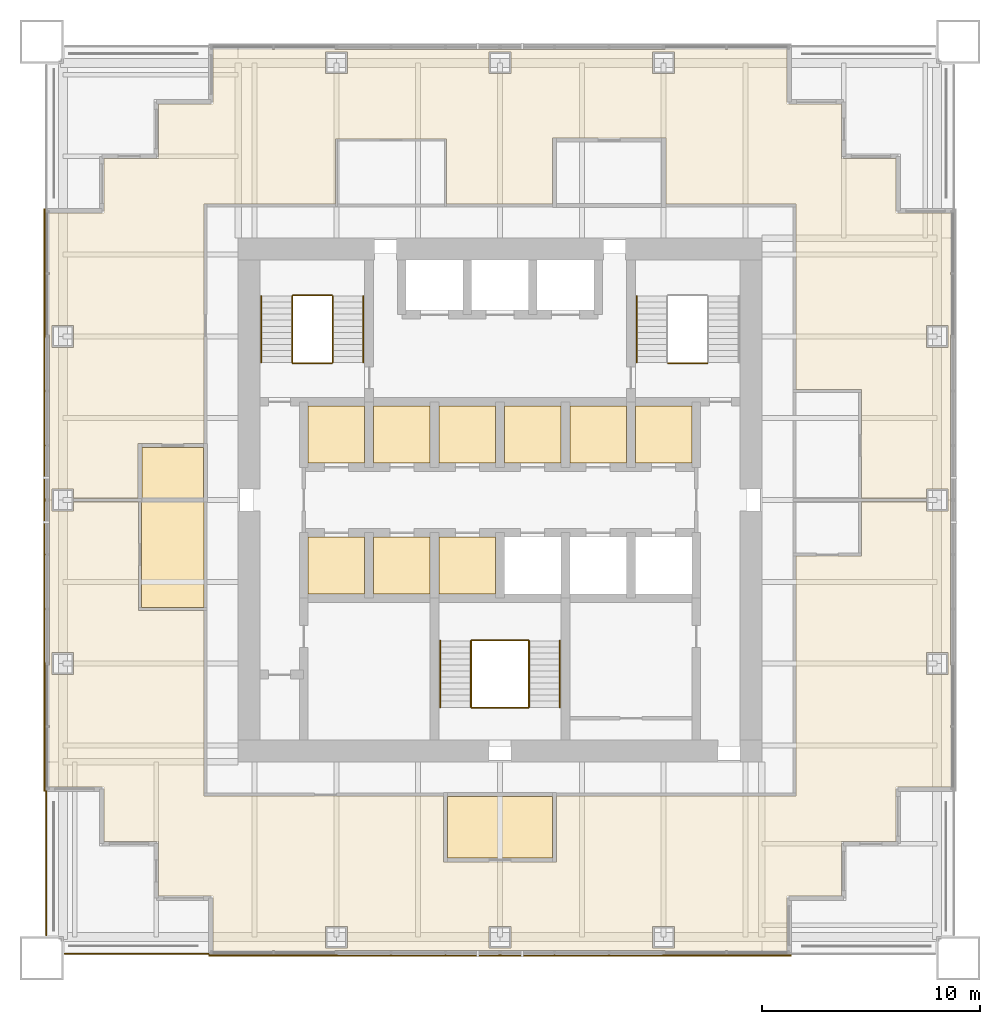
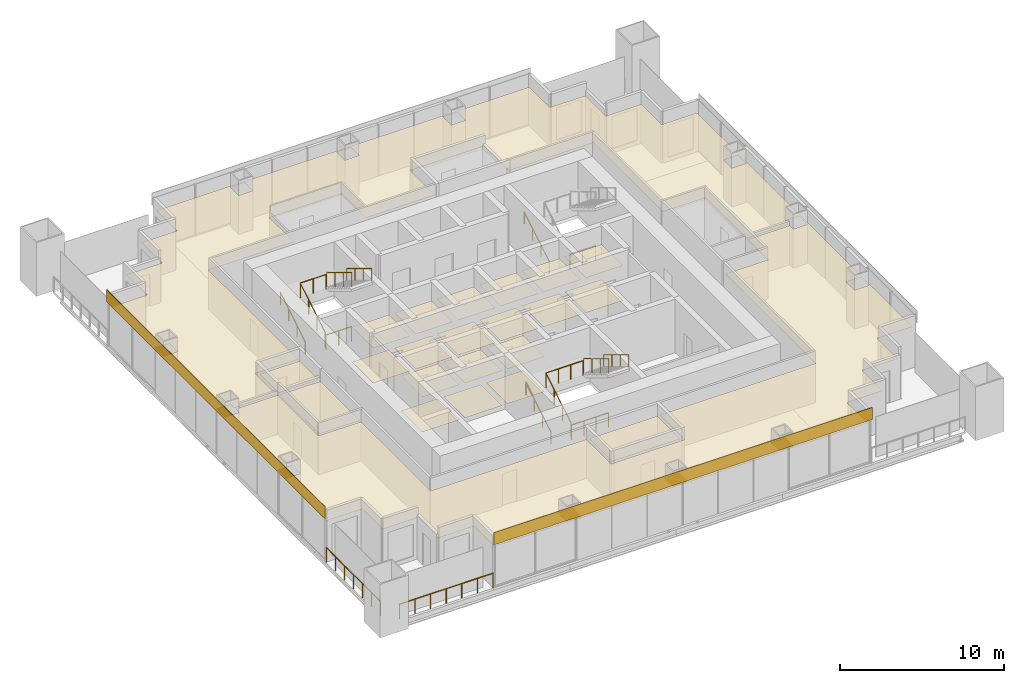
# One storey, part 13 of 14: 25 coverings, 16 railings.
"""IFC4 building model written with IfcOpenShell, lengths in metres."""

import ifcopenshell
import ifcopenshell.guid

model = None  # the IFC model being written
_history = None  # IfcOwnerHistory: only IFC2X3 demands one
_inside = {}  # id of a spatial element -> (the spatial element, [elements in it])
_under = {}  # id of a project, library or spatial element -> (it, [spatial elements below it])
_declared = {}  # id of a project -> (the project, [libraries it declares])
_typed = {}  # id of a type object -> (the type object, [elements of that type])
_made_of = {}  # id of a material, layer set ... -> (it, [elements and type objects made of it])


def new_model(schema):
    """Start an empty IFC model of exactly this schema.

    Asked for "IFC4X3", IfcOpenShell would pick the latest addendum, in which some entities
    have other attributes; the version numbers below select the first issue.
    IFC2X3 requires an IfcOwnerHistory on every rooted entity: one is made here for all.
    """
    global model, _history
    if schema == "IFC4X3":
        model = ifcopenshell.file(schema_version=(4, 3, 0, 0))
    else:
        model = ifcopenshell.file(schema=schema)
    _inside.clear()
    _under.clear()
    _declared.clear()
    _typed.clear()
    _made_of.clear()
    _history = None
    if model.schema == "IFC2X3":
        org = make("IfcOrganization", Name="unknown")
        user = make(
            "IfcPersonAndOrganization",
            ThePerson=make("IfcPerson", FamilyName="unknown"),
            TheOrganization=org,
        )
        app = make(
            "IfcApplication",
            ApplicationDeveloper=org,
            Version="unknown",
            ApplicationFullName="unknown",
            ApplicationIdentifier="unknown",
        )
        _history = make(
            "IfcOwnerHistory",
            OwningUser=user,
            OwningApplication=app,
            ChangeAction="ADDED",
            CreationDate=0,
        )
    return model


def make(cls, **values):
    """One entity of the class cls with the attributes given. An attribute that is None is left unset."""
    return model.create_entity(
        cls, **{name: value for name, value in values.items() if value is not None}
    )


def rooted(cls, **values):
    """An entity with a GlobalId (a new one), such as an element, a storey or a relation."""
    return make(cls, GlobalId=ifcopenshell.guid.new(), OwnerHistory=_history, **values)


def si_unit(unit_type, name, prefix=None):
    """IfcSIUnit, for example si_unit("LENGTHUNIT", "METRE", prefix="MILLI")."""
    return make("IfcSIUnit", UnitType=unit_type, Prefix=prefix, Name=name)


def assignment(units):
    """IfcUnitAssignment: the units of a project."""
    return None if units is None else make("IfcUnitAssignment", Units=units)


def point(xyz):
    """IfcCartesianPoint."""
    return None if xyz is None else make("IfcCartesianPoint", Coordinates=xyz)


def direction(xyz):
    """IfcDirection."""
    return None if xyz is None else make("IfcDirection", DirectionRatios=xyz)


def frame(location, z_axis=None, x_axis=None):
    """IfcAxis2Placement3D, a coordinate frame: its origin and axes. An axis left out is left unset."""
    return make(
        "IfcAxis2Placement3D",
        Location=point(location),
        Axis=direction(z_axis),
        RefDirection=direction(x_axis),
    )


def frame_2d(location, x_axis=None):
    """IfcAxis2Placement2D, a coordinate frame in the plane: its origin and x axis."""
    return make(
        "IfcAxis2Placement2D", Location=point(location), RefDirection=direction(x_axis)
    )


def origin():
    """The frame at (0, 0, 0) with its axes left unset."""
    return frame((0.0, 0.0, 0.0))


def origin_2d():
    """The frame at (0, 0) in the plane with its x axis left unset."""
    return frame_2d((0.0, 0.0))


def place(relative_to, where):
    """IfcLocalPlacement: puts the frame where relative to a parent placement (None: the world)."""
    return make(
        "IfcLocalPlacement", PlacementRelTo=relative_to, RelativePlacement=where
    )


def context(
    kind, dimensions, precision=None, world=None, true_north=None, identifier=None
):
    """IfcGeometricRepresentationContext, for example the 3D "Model" context."""
    return make(
        "IfcGeometricRepresentationContext",
        ContextIdentifier=identifier,
        ContextType=kind,
        CoordinateSpaceDimension=dimensions,
        Precision=precision,
        WorldCoordinateSystem=world,
        TrueNorth=true_north,
    )


def subcontext(parent, identifier, kind, view, scale=None):
    """IfcGeometricRepresentationSubContext, for example "Body" below "Model"."""
    return make(
        "IfcGeometricRepresentationSubContext",
        ContextIdentifier=identifier,
        ContextType=kind,
        ParentContext=parent,
        TargetScale=scale,
        TargetView=view,
    )


def project(units=None, contexts=None):
    """IfcProject with its units and contexts."""
    return rooted(
        "IfcProject",
        Name="project",
        RepresentationContexts=contexts,
        UnitsInContext=assignment(units),
    )


def spatial(cls, under=None, at=None, **own):
    """A site, building, storey or space (cls), placed at a placement, below another one or the project."""
    s = rooted(cls, ObjectPlacement=at, **own)
    if under is not None:
        _under.setdefault(under.id(), (under, []))[1].append(s)
    return s


def polyline(points):
    """IfcPolyline through the points."""
    return make("IfcPolyline", Points=[point(p) for p in points])


def profile(cls, at=None, kind="AREA", **sizes):
    """A parametric profile (cls). Its sizes go by their IFC names, for example OverallWidth=200.0."""
    return make(cls, ProfileType=kind, Position=at, **sizes)


def rectangle(**sizes):
    """IfcRectangleProfileDef."""
    return profile("IfcRectangleProfileDef", **sizes)


def circle(**sizes):
    """IfcCircleProfileDef."""
    return profile("IfcCircleProfileDef", **sizes)


def outline(outer, holes=None, kind="AREA"):
    """IfcArbitraryClosedProfileDef: a profile drawn as a closed curve; with holes, ...WithVoids."""
    if holes is None:
        return make("IfcArbitraryClosedProfileDef", ProfileType=kind, OuterCurve=outer)
    return make(
        "IfcArbitraryProfileDefWithVoids",
        ProfileType=kind,
        OuterCurve=outer,
        InnerCurves=holes,
    )


def extrude(swept, where, along, depth):
    """IfcExtrudedAreaSolid: the profile swept, set in the frame where, extruded along a direction by depth."""
    return make(
        "IfcExtrudedAreaSolid",
        SweptArea=swept,
        Position=where,
        ExtrudedDirection=direction(along),
        Depth=depth,
    )


def shape(context_of_items, identifier, shape_type, items):
    """IfcShapeRepresentation: the items that make up one representation, for example the "Body"."""
    return make(
        "IfcShapeRepresentation",
        ContextOfItems=context_of_items,
        RepresentationIdentifier=identifier,
        RepresentationType=shape_type,
        Items=items,
    )


def material(Name=None, Category=None):
    """IfcMaterial."""
    return make("IfcMaterial", Name=Name, Category=Category)


def layer(
    of_material, thickness, ventilated=None, Name=None, Category=None, Priority=None
):
    """IfcMaterialLayer: one layer of a wall or slab, of a material (None: an air gap)."""
    return make(
        "IfcMaterialLayer",
        Material=of_material,
        LayerThickness=thickness,
        IsVentilated=ventilated,
        Name=Name,
        Category=Category,
        Priority=Priority,
    )


def layer_set(layers, Name=None):
    """IfcMaterialLayerSet."""
    return make("IfcMaterialLayerSet", MaterialLayers=layers, LayerSetName=Name)


def made_of(thing, what):
    """Note that an element or type object is made of a material, layer set ...; save() writes the relation."""
    if what is not None:
        _made_of.setdefault(what.id(), (what, []))[1].append(thing)
    return thing


def type_object(cls, material=None, **own):
    """A type object (cls), such as IfcWallType, which elements share."""
    return made_of(rooted(cls, **own), material)


def element(
    cls,
    number,
    at=None,
    inside=None,
    cuts=None,
    type_object=None,
    material=None,
    context=None,
    identifier="Body",
    shape_type=None,
    held_by="IfcProductDefinitionShape",
    body=None,
    shapes=None,
    **own,
):
    """One element of the class cls, such as IfcWall. Its Tag is "e" and its number.

    at: its placement. inside: the storey or other place that contains it. cuts: it is an
    opening in that element (IfcRelVoidsElement). A single representation is given by context,
    identifier, shape_type and body (its items); several are given by shapes. held_by: the class
    of the entity that holds the representations. save() writes the other relations.
    """
    e = rooted(cls, Tag="e%d" % number, ObjectPlacement=at, **own)
    if body is not None:
        shapes = [shape(context, identifier, shape_type, body)]
    if shapes is not None:
        e.Representation = make(held_by, Representations=shapes)
    if inside is not None:
        _inside.setdefault(inside.id(), (inside, []))[1].append(e)
    if cuts is not None:
        rooted(
            "IfcRelVoidsElement", RelatingBuildingElement=cuts, RelatedOpeningElement=e
        )
    if type_object is not None:
        _typed.setdefault(type_object.id(), (type_object, []))[1].append(e)
    return made_of(e, material)


def aggregate(whole, parts):
    """IfcRelAggregates: a whole, such as a stair, and the parts it consists of."""
    return rooted("IfcRelAggregates", RelatingObject=whole, RelatedObjects=parts)


def save(model, path):
    """Write the relations noted so far, then the file.

    IfcRelAggregates (storeys below a building ...), IfcRelContainedInSpatialStructure (elements
    in a storey), IfcRelDefinesByType, IfcRelAssociatesMaterial and IfcRelDeclares: one each for
    every whole, place, type object, material and project.
    """
    for whole, parts in _under.values():
        aggregate(whole, parts)
    for where, things in _inside.values():
        rooted(
            "IfcRelContainedInSpatialStructure",
            RelatedElements=things,
            RelatingStructure=where,
        )
    for kind, things in _typed.values():
        rooted("IfcRelDefinesByType", RelatedObjects=things, RelatingType=kind)
    for what, things in _made_of.values():
        rooted("IfcRelAssociatesMaterial", RelatedObjects=things, RelatingMaterial=what)
    for by, libraries in _declared.values():
        rooted("IfcRelDeclares", RelatingContext=by, RelatedDefinitions=libraries)
    model.write(path)


model = new_model("IFC4")

# Units and contexts
model_context = context("Model", 3, precision=1e-05, world=origin(), true_north=direction((0.0, 1.0)))
body_context = subcontext(model_context, "Body", "Model", "MODEL_VIEW")
ifc_project = project(units=[si_unit("LENGTHUNIT", "METRE"), si_unit("AREAUNIT", "SQUARE_METRE"), si_unit("VOLUMEUNIT", "CUBIC_METRE"), si_unit("PLANEANGLEUNIT", "RADIAN"), si_unit("MASSUNIT", "GRAM", prefix="KILO")], contexts=[model_context])

# Site, building, storey
site_placement = place(None, origin())
site = spatial("IfcSite", under=ifc_project, at=site_placement, CompositionType="ELEMENT")
building_placement = place(site_placement, origin())
building = spatial("IfcBuilding", under=site, at=building_placement, Name="Tarangal Relay Tower", CompositionType="ELEMENT")
storey_placement = place(building_placement, frame((0.0, 0.0, 279.89990234375)))
storey = spatial("IfcBuildingStorey", under=building, at=storey_placement, Name="L61", CompositionType="ELEMENT", Elevation=279.89990234375)

# Coverings
ifc_material_1 = material(Name="Anti-static vinyl flooring", Category="plastic")
ifc_layer_1 = layer(ifc_material_1, 0.010009765625)
ifc_layer_set_1 = layer_set([ifc_layer_1], Name="Anti-static vinyl floor")
covering_type_1 = type_object("IfcCoveringType", Name="Anti-static vinyl floor", PredefinedType="FLOORING", material=ifc_layer_set_1)
covering_1_placement = place(storey_placement, origin())
element("IfcCovering", 1, at=covering_1_placement, inside=storey, type_object=covering_type_1, Name="Floor finish FL1 L61-D1", PredefinedType="FLOORING", context=body_context, shape_type="SweptSolid", body=[
    extrude(outline(polyline([(-8.800048828125, 1.699951171875), (-6.199951171875, 1.699951171875), (-6.199951171875, 4.300048828125), (-8.800048828125, 4.300048828125), (-8.800048828125, 1.699951171875)])), origin(), (0.0, 0.0, 1.0), 0.010009765625),
])
covering_2_placement = place(storey_placement, origin())
element("IfcCovering", 2, at=covering_2_placement, inside=storey, type_object=covering_type_1, Name="Floor finish FL1 L61-D2", PredefinedType="FLOORING", context=body_context, shape_type="SweptSolid", body=[
    extrude(outline(polyline([(-5.800048828125, 1.699951171875), (-3.199951171875, 1.699951171875), (-3.199951171875, 4.300048828125), (-5.800048828125, 4.300048828125), (-5.800048828125, 1.699951171875)])), origin(), (0.0, 0.0, 1.0), 0.010009765625),
])
covering_3_placement = place(storey_placement, origin())
element("IfcCovering", 3, at=covering_3_placement, inside=storey, type_object=covering_type_1, Name="Floor finish FL1 L61-D3", PredefinedType="FLOORING", context=body_context, shape_type="SweptSolid", body=[
    extrude(outline(polyline([(-2.800048828125, 1.699951171875), (-0.199951171875, 1.699951171875), (-0.199951171875, 4.300048828125), (-2.800048828125, 4.300048828125), (-2.800048828125, 1.699951171875)])), origin(), (0.0, 0.0, 1.0), 0.010009765625),
])
covering_4_placement = place(storey_placement, origin())
element("IfcCovering", 4, at=covering_4_placement, inside=storey, type_object=covering_type_1, Name="Floor finish FL1 L61-T1", PredefinedType="FLOORING", context=body_context, shape_type="SweptSolid", body=[
    extrude(outline(polyline([(0.199951171875, 1.699951171875), (2.800048828125, 1.699951171875), (2.800048828125, 4.300048828125), (0.199951171875, 4.300048828125), (0.199951171875, 1.699951171875)])), origin(), (0.0, 0.0, 1.0), 0.010009765625),
])
covering_5_placement = place(storey_placement, origin())
element("IfcCovering", 5, at=covering_5_placement, inside=storey, type_object=covering_type_1, Name="Floor finish FL1 L61-T2", PredefinedType="FLOORING", context=body_context, shape_type="SweptSolid", body=[
    extrude(outline(polyline([(3.199951171875, 1.699951171875), (5.800048828125, 1.699951171875), (5.800048828125, 4.300048828125), (3.199951171875, 4.300048828125), (3.199951171875, 1.699951171875)])), origin(), (0.0, 0.0, 1.0), 0.010009765625),
])
covering_6_placement = place(storey_placement, origin())
element("IfcCovering", 6, at=covering_6_placement, inside=storey, type_object=covering_type_1, Name="Floor finish FL1 L61-T3", PredefinedType="FLOORING", context=body_context, shape_type="SweptSolid", body=[
    extrude(outline(polyline([(6.199951171875, 1.699951171875), (8.800048828125, 1.699951171875), (8.800048828125, 4.300048828125), (6.199951171875, 4.300048828125), (6.199951171875, 1.699951171875)])), origin(), (0.0, 0.0, 1.0), 0.010009765625),
])
covering_7_placement = place(storey_placement, origin())
element("IfcCovering", 7, at=covering_7_placement, inside=storey, type_object=covering_type_1, Name="Floor finish FL1 L61-S1", PredefinedType="FLOORING", context=body_context, shape_type="SweptSolid", body=[
    extrude(outline(polyline([(-8.800048828125, -4.300048828125), (-6.199951171875, -4.300048828125), (-6.199951171875, -1.699951171875), (-8.800048828125, -1.699951171875), (-8.800048828125, -4.300048828125)])), origin(), (0.0, 0.0, 1.0), 0.010009765625),
])
covering_8_placement = place(storey_placement, origin())
element("IfcCovering", 8, at=covering_8_placement, inside=storey, type_object=covering_type_1, Name="Floor finish FL1 L61-S2", PredefinedType="FLOORING", context=body_context, shape_type="SweptSolid", body=[
    extrude(outline(polyline([(-5.800048828125, -4.300048828125), (-3.199951171875, -4.300048828125), (-3.199951171875, -1.699951171875), (-5.800048828125, -1.699951171875), (-5.800048828125, -4.300048828125)])), origin(), (0.0, 0.0, 1.0), 0.010009765625),
])
covering_9_placement = place(storey_placement, origin())
element("IfcCovering", 9, at=covering_9_placement, inside=storey, type_object=covering_type_1, Name="Floor finish FL1 L61-S3", PredefinedType="FLOORING", context=body_context, shape_type="SweptSolid", body=[
    extrude(outline(polyline([(-2.800048828125, -4.300048828125), (-0.199951171875, -4.300048828125), (-0.199951171875, -1.699951171875), (-2.800048828125, -1.699951171875), (-2.800048828125, -4.300048828125)])), origin(), (0.0, 0.0, 1.0), 0.010009765625),
])
ifc_material_2 = material(Name="Black anodised aluminium cladding", Category="aluminium")
ifc_layer_2 = layer(ifc_material_2, 0.050048828125)
ifc_layer_set_2 = layer_set([ifc_layer_2], Name="Black metal spandrel band")
covering_type_2 = type_object("IfcCoveringType", Name="Black metal spandrel band", PredefinedType="CLADDING", material=ifc_layer_set_2)
for number, where, z_axis, x_axis, name in (
    (10, (0.0, -20.875, 3.250244140625), (0.0, 0.0, 1.0), (-1.0, 0.0, 0.0), "Spandrel band SB1 S L61"),
    (11, (-20.875, 0.0, 3.250244140625), (0.0, 0.0, 1.0), (0.0, 1.0, 0.0), "Spandrel band SB1 W L61"),
):
    element("IfcCovering", number, at=place(storey_placement, frame(where, z_axis=z_axis, x_axis=x_axis)), inside=storey, type_object=covering_type_2, Name=name, PredefinedType="CLADDING", context=body_context, shape_type="SweptSolid", body=[
        extrude(rectangle(XDim=26.699951171875, YDim=0.050048828125, at=origin_2d()), origin(), (0.0, 0.0, 1.0), 0.89990234375),
    ])

# Railings
ifc_material_3 = material(Name="Steel guard, black finish", Category="steel")
railing_type_1 = type_object("IfcRailingType", Name="Stair guard 1100", PredefinedType="GUARDRAIL", material=ifc_material_3)
railing_1_placement = place(storey_placement, frame((-9.530029296875, 6.300048828125, 0.166748046875)))
element("IfcRailing", 12, at=railing_1_placement, inside=storey, type_object=railing_type_1, Name="Stair ST-A guard GR1 L61 flight 1", PredefinedType="GUARDRAIL", context=body_context, shape_type="SweptSolid", body=[
    extrude(circle(Radius=0.02392578125, at=origin_2d()), frame((0.0, 0.0, 1.076171875), z_axis=(0.0, 0.85685617095, 0.515555527858), x_axis=(-1.0, 0.0, 0.0)), (0.0, 0.0, 1.0), 3.555908203125),
    extrude(circle(Radius=0.02099609375, at=origin_2d()), origin(), (0.0, 0.0, 1.0), 1.052001953125),
    extrude(circle(Radius=0.02099609375, at=origin_2d()), frame((0.0, 1.015625, 0.611083984375)), (0.0, 0.0, 1.0), 1.052001953125),
    extrude(circle(Radius=0.02099609375, at=origin_2d()), frame((0.0, 2.03125, 1.22216796875)), (0.0, 0.0, 1.0), 1.052001953125),
    extrude(circle(Radius=0.02099609375, at=origin_2d()), frame((0.0, 3.046875, 1.833251953125)), (0.0, 0.0, 1.0), 1.052001953125),
])
railing_2_placement = place(storey_placement, frame((-7.669921875, 9.346923828125, 2.166748046875)))
element("IfcRailing", 13, at=railing_2_placement, inside=storey, type_object=railing_type_1, Name="Stair ST-A guard GR1 L61 flight 2", PredefinedType="GUARDRAIL", context=body_context, shape_type="SweptSolid", body=[
    extrude(circle(Radius=0.02392578125, at=origin_2d()), frame((0.0, 0.0, 1.076171875), z_axis=(0.0, -0.85685617095, 0.515555527858), x_axis=(1.0, 0.0, 0.0)), (0.0, 0.0, 1.0), 3.555908203125),
    extrude(circle(Radius=0.02099609375, at=origin_2d()), origin(), (0.0, 0.0, 1.0), 1.052001953125),
    extrude(circle(Radius=0.02099609375, at=origin_2d()), frame((0.0, -1.015625, 0.611083984375)), (0.0, 0.0, 1.0), 1.052001953125),
    extrude(circle(Radius=0.02099609375, at=origin_2d()), frame((0.0, -2.03125, 1.22216796875)), (0.0, 0.0, 1.0), 1.052001953125),
    extrude(circle(Radius=0.02099609375, at=origin_2d()), frame((0.0, -3.046875, 1.833251953125)), (0.0, 0.0, 1.0), 1.052001953125),
])
for number, where, name in (
    (14, (-9.5, 6.27001953125, 0.0), "Stair ST-A landing guard GR1 L61"),
    (15, (-9.5, 9.376953125, 2.0), "Stair ST-A landing guard GR1 L61"),
    (16, (7.699951171875, 6.27001953125, 0.0), "Stair ST-B landing guard GR1 L61"),
):
    element("IfcRailing", number, at=place(storey_placement, frame(where)), inside=storey, type_object=railing_type_1, Name=name, PredefinedType="GUARDRAIL", context=body_context, shape_type="SweptSolid", body=[
        extrude(circle(Radius=0.02392578125, at=origin_2d()), frame((0.0, 0.0, 1.076171875), z_axis=(1.0, 0.0, 0.0), x_axis=(0.0, 1.0, 0.0)), (0.0, 0.0, 1.0), 1.800048828125),
        extrude(circle(Radius=0.02099609375, at=origin_2d()), origin(), (0.0, 0.0, 1.0), 1.052001953125),
        extrude(circle(Radius=0.02099609375, at=origin_2d()), frame((0.89990234375, 0.0, 0.0)), (0.0, 0.0, 1.0), 1.052001953125),
        extrude(circle(Radius=0.02099609375, at=origin_2d()), frame((1.800048828125, 0.0, 0.0)), (0.0, 0.0, 1.0), 1.052001953125),
    ])
railing_3_placement = place(storey_placement, frame((-1.330078125, -9.5, 0.166748046875)))
element("IfcRailing", 17, at=railing_3_placement, inside=storey, type_object=railing_type_1, Name="Stair ST-C guard GR1 L61 flight 1", PredefinedType="GUARDRAIL", context=body_context, shape_type="SweptSolid", body=[
    extrude(circle(Radius=0.02392578125, at=origin_2d()), frame((0.0, 0.0, 1.076171875), z_axis=(0.0, 0.856874418557, 0.515525199018), x_axis=(-1.0, 0.0, 0.0)), (0.0, 0.0, 1.0), 3.55615234375),
    extrude(circle(Radius=0.02099609375, at=origin_2d()), origin(), (0.0, 0.0, 1.0), 1.052001953125),
    extrude(circle(Radius=0.02099609375, at=origin_2d()), frame((0.0, 1.015625, 0.611083984375)), (0.0, 0.0, 1.0), 1.052001953125),
    extrude(circle(Radius=0.02099609375, at=origin_2d()), frame((0.0, 2.031494140625, 1.22216796875)), (0.0, 0.0, 1.0), 1.052001953125),
    extrude(circle(Radius=0.02099609375, at=origin_2d()), frame((0.0, 3.047119140625, 1.833251953125)), (0.0, 0.0, 1.0), 1.052001953125),
])
railing_4_placement = place(storey_placement, frame((1.330078125, -6.452880859375, 2.166748046875)))
element("IfcRailing", 18, at=railing_4_placement, inside=storey, type_object=railing_type_1, Name="Stair ST-C guard GR1 L61 flight 2", PredefinedType="GUARDRAIL", context=body_context, shape_type="SweptSolid", body=[
    extrude(circle(Radius=0.02392578125, at=origin_2d()), frame((0.0, 0.0, 1.076171875), z_axis=(0.0, -0.856874418557, 0.515525199018), x_axis=(1.0, 0.0, 0.0)), (0.0, 0.0, 1.0), 3.55615234375),
    extrude(circle(Radius=0.02099609375, at=origin_2d()), origin(), (0.0, 0.0, 1.0), 1.052001953125),
    extrude(circle(Radius=0.02099609375, at=origin_2d()), frame((0.0, -1.015625, 0.611083984375)), (0.0, 0.0, 1.0), 1.052001953125),
    extrude(circle(Radius=0.02099609375, at=origin_2d()), frame((0.0, -2.031494140625, 1.22216796875)), (0.0, 0.0, 1.0), 1.052001953125),
    extrude(circle(Radius=0.02099609375, at=origin_2d()), frame((0.0, -3.047119140625, 1.833251953125)), (0.0, 0.0, 1.0), 1.052001953125),
])
for number, where, name in (
    (19, (-1.300048828125, -9.530029296875, 0.0), "Stair ST-C landing guard GR1 L61"),
    (20, (-1.300048828125, -6.423095703125, 2.0), "Stair ST-C landing guard GR1 L61"),
):
    element("IfcRailing", number, at=place(storey_placement, frame(where)), inside=storey, type_object=railing_type_1, Name=name, PredefinedType="GUARDRAIL", context=body_context, shape_type="SweptSolid", body=[
        extrude(circle(Radius=0.02392578125, at=origin_2d()), frame((0.0, 0.0, 1.076171875), z_axis=(1.0, 0.0, 0.0), x_axis=(0.0, 1.0, 0.0)), (0.0, 0.0, 1.0), 2.60009765625),
        extrude(circle(Radius=0.02099609375, at=origin_2d()), origin(), (0.0, 0.0, 1.0), 1.052001953125),
        extrude(circle(Radius=0.02099609375, at=origin_2d()), frame((0.86669921875, 0.0, 0.0)), (0.0, 0.0, 1.0), 1.052001953125),
        extrude(circle(Radius=0.02099609375, at=origin_2d()), frame((1.7333984375, 0.0, 0.0)), (0.0, 0.0, 1.0), 1.052001953125),
        extrude(circle(Radius=0.02099609375, at=origin_2d()), frame((2.60009765625, 0.0, 0.0)), (0.0, 0.0, 1.0), 1.052001953125),
    ])
ifc_material_4 = material(Name="Steel handrail, black finish", Category="steel")
railing_type_2 = type_object("IfcRailingType", Name="Stair handrail 900", PredefinedType="HANDRAIL", material=ifc_material_4)
railing_5_placement = place(storey_placement, frame((-10.93994140625, 6.300048828125, 0.166748046875)))
element("IfcRailing", 21, at=railing_5_placement, inside=storey, type_object=railing_type_2, Name="Stair ST-A handrail HR1 L61 flight 1", PredefinedType="HANDRAIL", context=body_context, shape_type="SweptSolid", body=[
    extrude(circle(Radius=0.02392578125, at=origin_2d()), frame((0.0, 0.0, 0.8759765625), z_axis=(0.0, 0.85685617095, 0.515555527858), x_axis=(-1.0, 0.0, 0.0)), (0.0, 0.0, 1.0), 3.555908203125),
    extrude(circle(Radius=0.02099609375, at=origin_2d()), origin(), (0.0, 0.0, 1.0), 0.851806640625),
    extrude(circle(Radius=0.02099609375, at=origin_2d()), frame((0.0, 1.015625, 0.611083984375)), (0.0, 0.0, 1.0), 0.851806640625),
    extrude(circle(Radius=0.02099609375, at=origin_2d()), frame((0.0, 2.03125, 1.22216796875)), (0.0, 0.0, 1.0), 0.851806640625),
    extrude(circle(Radius=0.02099609375, at=origin_2d()), frame((0.0, 3.046875, 1.833251953125)), (0.0, 0.0, 1.0), 0.851806640625),
])
railing_6_placement = place(storey_placement, frame((-6.260009765625, 9.346923828125, 2.166748046875)))
element("IfcRailing", 22, at=railing_6_placement, inside=storey, type_object=railing_type_2, Name="Stair ST-A handrail HR1 L61 flight 2", PredefinedType="HANDRAIL", context=body_context, shape_type="SweptSolid", body=[
    extrude(circle(Radius=0.02392578125, at=origin_2d()), frame((0.0, 0.0, 0.8759765625), z_axis=(0.0, -0.85685617095, 0.515555527858), x_axis=(1.0, 0.0, 0.0)), (0.0, 0.0, 1.0), 3.555908203125),
    extrude(circle(Radius=0.02099609375, at=origin_2d()), origin(), (0.0, 0.0, 1.0), 0.851806640625),
    extrude(circle(Radius=0.02099609375, at=origin_2d()), frame((0.0, -1.015625, 0.611083984375)), (0.0, 0.0, 1.0), 0.851806640625),
    extrude(circle(Radius=0.02099609375, at=origin_2d()), frame((0.0, -2.03125, 1.22216796875)), (0.0, 0.0, 1.0), 0.851806640625),
    extrude(circle(Radius=0.02099609375, at=origin_2d()), frame((0.0, -3.046875, 1.833251953125)), (0.0, 0.0, 1.0), 0.851806640625),
])
railing_7_placement = place(storey_placement, frame((6.260009765625, 6.300048828125, 0.166748046875)))
element("IfcRailing", 23, at=railing_7_placement, inside=storey, type_object=railing_type_2, Name="Stair ST-B handrail HR1 L61 flight 1", PredefinedType="HANDRAIL", context=body_context, shape_type="SweptSolid", body=[
    extrude(circle(Radius=0.02392578125, at=origin_2d()), frame((0.0, 0.0, 0.8759765625), z_axis=(0.0, 0.85685617095, 0.515555527858), x_axis=(-1.0, 0.0, 0.0)), (0.0, 0.0, 1.0), 3.555908203125),
    extrude(circle(Radius=0.02099609375, at=origin_2d()), origin(), (0.0, 0.0, 1.0), 0.851806640625),
    extrude(circle(Radius=0.02099609375, at=origin_2d()), frame((0.0, 1.015625, 0.611083984375)), (0.0, 0.0, 1.0), 0.851806640625),
    extrude(circle(Radius=0.02099609375, at=origin_2d()), frame((0.0, 2.03125, 1.22216796875)), (0.0, 0.0, 1.0), 0.851806640625),
    extrude(circle(Radius=0.02099609375, at=origin_2d()), frame((0.0, 3.046875, 1.833251953125)), (0.0, 0.0, 1.0), 0.851806640625),
])
railing_8_placement = place(storey_placement, frame((-2.739990234375, -9.5, 0.166748046875)))
element("IfcRailing", 24, at=railing_8_placement, inside=storey, type_object=railing_type_2, Name="Stair ST-C handrail HR1 L61 flight 1", PredefinedType="HANDRAIL", context=body_context, shape_type="SweptSolid", body=[
    extrude(circle(Radius=0.02392578125, at=origin_2d()), frame((0.0, 0.0, 0.8759765625), z_axis=(0.0, 0.856874418557, 0.515525199018), x_axis=(-1.0, 0.0, 0.0)), (0.0, 0.0, 1.0), 3.55615234375),
    extrude(circle(Radius=0.02099609375, at=origin_2d()), origin(), (0.0, 0.0, 1.0), 0.851806640625),
    extrude(circle(Radius=0.02099609375, at=origin_2d()), frame((0.0, 1.015625, 0.611083984375)), (0.0, 0.0, 1.0), 0.851806640625),
    extrude(circle(Radius=0.02099609375, at=origin_2d()), frame((0.0, 2.031494140625, 1.22216796875)), (0.0, 0.0, 1.0), 0.851806640625),
    extrude(circle(Radius=0.02099609375, at=origin_2d()), frame((0.0, 3.047119140625, 1.833251953125)), (0.0, 0.0, 1.0), 0.851806640625),
])
railing_9_placement = place(storey_placement, frame((2.739990234375, -6.452880859375, 2.166748046875)))
element("IfcRailing", 25, at=railing_9_placement, inside=storey, type_object=railing_type_2, Name="Stair ST-C handrail HR1 L61 flight 2", PredefinedType="HANDRAIL", context=body_context, shape_type="SweptSolid", body=[
    extrude(circle(Radius=0.02392578125, at=origin_2d()), frame((0.0, 0.0, 0.8759765625), z_axis=(0.0, -0.856874418557, 0.515525199018), x_axis=(1.0, 0.0, 0.0)), (0.0, 0.0, 1.0), 3.55615234375),
    extrude(circle(Radius=0.02099609375, at=origin_2d()), origin(), (0.0, 0.0, 1.0), 0.851806640625),
    extrude(circle(Radius=0.02099609375, at=origin_2d()), frame((0.0, -1.015625, 0.611083984375)), (0.0, 0.0, 1.0), 0.851806640625),
    extrude(circle(Radius=0.02099609375, at=origin_2d()), frame((0.0, -2.031494140625, 1.22216796875)), (0.0, 0.0, 1.0), 0.851806640625),
    extrude(circle(Radius=0.02099609375, at=origin_2d()), frame((0.0, -3.047119140625, 1.833251953125)), (0.0, 0.0, 1.0), 0.851806640625),
])

# Coverings
ifc_material_5 = material(Name="Mineral fibre ceiling tiles", Category="gypsum")
ifc_layer_3 = layer(ifc_material_5, 0.02001953125)
ifc_layer_set_3 = layer_set([ifc_layer_3], Name="Suspended ceiling")
covering_type_3 = type_object("IfcCoveringType", Name="Suspended ceiling", PredefinedType="CEILING", material=ifc_layer_set_3)
covering_10_placement = place(storey_placement, frame((0.0, 0.0, 2.60009765625)))
element("IfcCovering", 26, at=covering_10_placement, inside=storey, type_object=covering_type_3, Name="Suspended ceiling CL1 L61-D1", PredefinedType="CEILING", context=body_context, shape_type="SweptSolid", body=[
    extrude(outline(polyline([(-8.800048828125, 1.699951171875), (-6.199951171875, 1.699951171875), (-6.199951171875, 4.300048828125), (-8.800048828125, 4.300048828125), (-8.800048828125, 1.699951171875)])), origin(), (0.0, 0.0, 1.0), 0.02001953125),
])
covering_11_placement = place(storey_placement, frame((0.0, 0.0, 2.60009765625)))
element("IfcCovering", 27, at=covering_11_placement, inside=storey, type_object=covering_type_3, Name="Suspended ceiling CL1 L61-D2", PredefinedType="CEILING", context=body_context, shape_type="SweptSolid", body=[
    extrude(outline(polyline([(-5.800048828125, 1.699951171875), (-3.199951171875, 1.699951171875), (-3.199951171875, 4.300048828125), (-5.800048828125, 4.300048828125), (-5.800048828125, 1.699951171875)])), origin(), (0.0, 0.0, 1.0), 0.02001953125),
])
covering_12_placement = place(storey_placement, frame((0.0, 0.0, 2.60009765625)))
element("IfcCovering", 28, at=covering_12_placement, inside=storey, type_object=covering_type_3, Name="Suspended ceiling CL1 L61-D3", PredefinedType="CEILING", context=body_context, shape_type="SweptSolid", body=[
    extrude(outline(polyline([(-2.800048828125, 1.699951171875), (-0.199951171875, 1.699951171875), (-0.199951171875, 4.300048828125), (-2.800048828125, 4.300048828125), (-2.800048828125, 1.699951171875)])), origin(), (0.0, 0.0, 1.0), 0.02001953125),
])
covering_13_placement = place(storey_placement, frame((0.0, 0.0, 2.60009765625)))
element("IfcCovering", 29, at=covering_13_placement, inside=storey, type_object=covering_type_3, Name="Suspended ceiling CL1 L61-T1", PredefinedType="CEILING", context=body_context, shape_type="SweptSolid", body=[
    extrude(outline(polyline([(0.199951171875, 1.699951171875), (2.800048828125, 1.699951171875), (2.800048828125, 4.300048828125), (0.199951171875, 4.300048828125), (0.199951171875, 1.699951171875)])), origin(), (0.0, 0.0, 1.0), 0.02001953125),
])
covering_14_placement = place(storey_placement, frame((0.0, 0.0, 2.60009765625)))
element("IfcCovering", 30, at=covering_14_placement, inside=storey, type_object=covering_type_3, Name="Suspended ceiling CL1 L61-T2", PredefinedType="CEILING", context=body_context, shape_type="SweptSolid", body=[
    extrude(outline(polyline([(3.199951171875, 1.699951171875), (5.800048828125, 1.699951171875), (5.800048828125, 4.300048828125), (3.199951171875, 4.300048828125), (3.199951171875, 1.699951171875)])), origin(), (0.0, 0.0, 1.0), 0.02001953125),
])
covering_15_placement = place(storey_placement, frame((0.0, 0.0, 2.60009765625)))
element("IfcCovering", 31, at=covering_15_placement, inside=storey, type_object=covering_type_3, Name="Suspended ceiling CL1 L61-T3", PredefinedType="CEILING", context=body_context, shape_type="SweptSolid", body=[
    extrude(outline(polyline([(6.199951171875, 1.699951171875), (8.800048828125, 1.699951171875), (8.800048828125, 4.300048828125), (6.199951171875, 4.300048828125), (6.199951171875, 1.699951171875)])), origin(), (0.0, 0.0, 1.0), 0.02001953125),
])
covering_16_placement = place(storey_placement, frame((0.0, 0.0, 2.60009765625)))
element("IfcCovering", 32, at=covering_16_placement, inside=storey, type_object=covering_type_3, Name="Suspended ceiling CL1 L61-S1", PredefinedType="CEILING", context=body_context, shape_type="SweptSolid", body=[
    extrude(outline(polyline([(-8.800048828125, -4.300048828125), (-6.199951171875, -4.300048828125), (-6.199951171875, -1.699951171875), (-8.800048828125, -1.699951171875), (-8.800048828125, -4.300048828125)])), origin(), (0.0, 0.0, 1.0), 0.02001953125),
])
covering_17_placement = place(storey_placement, frame((0.0, 0.0, 2.60009765625)))
element("IfcCovering", 33, at=covering_17_placement, inside=storey, type_object=covering_type_3, Name="Suspended ceiling CL1 L61-S2", PredefinedType="CEILING", context=body_context, shape_type="SweptSolid", body=[
    extrude(outline(polyline([(-5.800048828125, -4.300048828125), (-3.199951171875, -4.300048828125), (-3.199951171875, -1.699951171875), (-5.800048828125, -1.699951171875), (-5.800048828125, -4.300048828125)])), origin(), (0.0, 0.0, 1.0), 0.02001953125),
])
covering_18_placement = place(storey_placement, frame((0.0, 0.0, 2.60009765625)))
element("IfcCovering", 34, at=covering_18_placement, inside=storey, type_object=covering_type_3, Name="Suspended ceiling CL1 L61-S3", PredefinedType="CEILING", context=body_context, shape_type="SweptSolid", body=[
    extrude(outline(polyline([(-2.800048828125, -4.300048828125), (-0.199951171875, -4.300048828125), (-0.199951171875, -1.699951171875), (-2.800048828125, -1.699951171875), (-2.800048828125, -4.300048828125)])), origin(), (0.0, 0.0, 1.0), 0.02001953125),
])
covering_19_placement = place(storey_placement, frame((0.0, 0.0, 2.900146484375)))
element("IfcCovering", 35, at=covering_19_placement, inside=storey, type_object=covering_type_3, Name="Suspended ceiling CL1 L61-06", PredefinedType="CEILING", context=body_context, shape_type="SweptSolid", body=[
    extrude(outline(polyline([(-2.39990234375, -16.39990234375), (2.39990234375, -16.39990234375), (2.39990234375, -13.60009765625), (-2.39990234375, -13.60009765625), (-2.39990234375, -16.39990234375)])), origin(), (0.0, 0.0, 1.0), 0.02001953125),
])
covering_20_placement = place(storey_placement, frame((0.0, 0.0, 2.900146484375)))
element("IfcCovering", 36, at=covering_20_placement, inside=storey, type_object=covering_type_3, Name="Suspended ceiling CL1 L61-07", PredefinedType="CEILING", context=body_context, shape_type="SweptSolid", body=[
    extrude(outline(polyline([(-16.425048828125, -4.925048828125), (-13.574951171875, -4.925048828125), (-13.574951171875, -0.10009765625), (-16.425048828125, -0.10009765625), (-16.425048828125, -4.925048828125)])), origin(), (0.0, 0.0, 1.0), 0.02001953125),
])
covering_21_placement = place(storey_placement, frame((0.0, 0.0, 2.900146484375)))
element("IfcCovering", 37, at=covering_21_placement, inside=storey, type_object=covering_type_3, Name="Suspended ceiling CL1 L61-08", PredefinedType="CEILING", context=body_context, shape_type="SweptSolid", body=[
    extrude(outline(polyline([(-13.60009765625, 2.39990234375), (-16.39990234375, 2.39990234375), (-16.39990234375, 0.10009765625), (-13.60009765625, 0.10009765625), (-13.60009765625, 2.39990234375)])), origin(), (0.0, 0.0, 1.0), 0.02001953125),
])
covering_22_placement = place(storey_placement, frame((0.0, 0.0, 2.900146484375)))
element("IfcCovering", 38, at=covering_22_placement, inside=storey, type_object=covering_type_3, Name="Suspended ceiling CL1 L61-09", PredefinedType="CEILING", context=body_context, shape_type="SweptSolid", body=[
    extrude(outline(polyline([(-20.64990234375, 0.0), (-20.5400390625, 0.0), (-20.5400390625, 0.5), (-19.5400390625, 0.5), (-19.5400390625, 0.074951171875), (-16.60009765625, 0.074951171875), (-16.60009765625, 2.60009765625), (-13.574951171875, 2.60009765625), (-13.574951171875, 13.574951171875), (-7.550048828125, 13.574951171875), (-7.550048828125, 16.550048828125), (-2.449951171875, 16.550048828125), (-2.449951171875, 13.574951171875), (2.39990234375, 13.574951171875), (2.39990234375, 16.60009765625), (7.60009765625, 16.60009765625), (7.60009765625, 13.574951171875), (13.574951171875, 13.574951171875), (13.574951171875, 5.074951171875), (16.574951171875, 5.074951171875), (16.574951171875, 0.074951171875), (19.5400390625, 0.074951171875), (19.5400390625, 0.5), (20.5400390625, 0.5), (20.5400390625, 0.0), (20.64990234375, 0.0), (20.64990234375, 13.14990234375), (18.14990234375, 13.14990234375), (18.14990234375, 15.64990234375), (15.64990234375, 15.64990234375), (15.64990234375, 18.14990234375), (13.14990234375, 18.14990234375), (13.14990234375, 20.64990234375), (-13.14990234375, 20.64990234375), (-13.14990234375, 18.14990234375), (-15.64990234375, 18.14990234375), (-15.64990234375, 15.64990234375), (-18.14990234375, 15.64990234375), (-18.14990234375, 13.14990234375), (-20.64990234375, 13.14990234375), (-20.64990234375, 0.0)]), holes=[polyline([(-20.5400390625, 8.0), (-20.5400390625, 7.0), (-19.5400390625, 7.0), (-19.5400390625, 8.0), (-20.5400390625, 8.0)]), polyline([(19.5400390625, 8.0), (19.5400390625, 7.0), (20.5400390625, 7.0), (20.5400390625, 8.0), (19.5400390625, 8.0)]), polyline([(-8.0, 20.5400390625), (-8.0, 19.5400390625), (-7.0, 19.5400390625), (-7.0, 20.5400390625), (-8.0, 20.5400390625)]), polyline([(-0.5, 20.5400390625), (-0.5, 19.5400390625), (0.5, 19.5400390625), (0.5, 20.5400390625), (-0.5, 20.5400390625)]), polyline([(7.0, 20.5400390625), (7.0, 19.5400390625), (8.0, 19.5400390625), (8.0, 20.5400390625), (7.0, 20.5400390625)])]), origin(), (0.0, 0.0, 1.0), 0.02001953125),
])
covering_23_placement = place(storey_placement, frame((0.0, 0.0, 2.900146484375)))
element("IfcCovering", 39, at=covering_23_placement, inside=storey, type_object=covering_type_3, Name="Suspended ceiling CL1 L61-10", PredefinedType="CEILING", context=body_context, shape_type="SweptSolid", body=[
    extrude(outline(polyline([(20.64990234375, 0.0), (20.5400390625, 0.0), (20.5400390625, -0.5), (19.5400390625, -0.5), (19.5400390625, -0.074951171875), (16.574951171875, -0.074951171875), (16.574951171875, -2.574951171875), (13.574951171875, -2.574951171875), (13.574951171875, -13.574951171875), (2.60009765625, -13.574951171875), (2.60009765625, -16.60009765625), (-2.60009765625, -16.60009765625), (-2.60009765625, -13.574951171875), (-13.574951171875, -13.574951171875), (-13.574951171875, -5.074951171875), (-16.574951171875, -5.074951171875), (-16.574951171875, -0.10009765625), (-16.60009765625, -0.10009765625), (-16.60009765625, -0.074951171875), (-19.5400390625, -0.074951171875), (-19.5400390625, -0.5), (-20.5400390625, -0.5), (-20.5400390625, 0.0), (-20.64990234375, 0.0), (-20.64990234375, -13.14990234375), (-18.14990234375, -13.14990234375), (-18.14990234375, -15.64990234375), (-15.64990234375, -15.64990234375), (-15.64990234375, -18.14990234375), (-13.14990234375, -18.14990234375), (-13.14990234375, -20.64990234375), (13.14990234375, -20.64990234375), (13.14990234375, -18.14990234375), (15.64990234375, -18.14990234375), (15.64990234375, -15.64990234375), (18.14990234375, -15.64990234375), (18.14990234375, -13.14990234375), (20.64990234375, -13.14990234375), (20.64990234375, 0.0)]), holes=[polyline([(-8.0, -20.5400390625), (-7.0, -20.5400390625), (-7.0, -19.5400390625), (-8.0, -19.5400390625), (-8.0, -20.5400390625)]), polyline([(-0.5, -19.5400390625), (-0.5, -20.5400390625), (0.5, -20.5400390625), (0.5, -19.5400390625), (-0.5, -19.5400390625)]), polyline([(7.0, -19.5400390625), (7.0, -20.5400390625), (8.0, -20.5400390625), (8.0, -19.5400390625), (7.0, -19.5400390625)]), polyline([(-20.5400390625, -7.0), (-20.5400390625, -8.0), (-19.5400390625, -8.0), (-19.5400390625, -7.0), (-20.5400390625, -7.0)]), polyline([(19.5400390625, -7.0), (19.5400390625, -8.0), (20.5400390625, -8.0), (20.5400390625, -7.0), (19.5400390625, -7.0)])]), origin(), (0.0, 0.0, 1.0), 0.02001953125),
])

# Railings
ifc_material_6 = material(Name="Black steel guard with glass infill", Category="steel")
railing_type_3 = type_object("IfcRailingType", Name="Terrace guard 1100", PredefinedType="GUARDRAIL", material=ifc_material_6)
railing_10_placement = place(storey_placement, frame((-13.35009765625, -20.800048828125, 0.0)))
element("IfcRailing", 40, at=railing_10_placement, inside=storey, type_object=railing_type_3, Name="Terrace guard GR2 SW L61", PredefinedType="GUARDRAIL", context=body_context, shape_type="SweptSolid", body=[
    extrude(circle(Radius=0.02392578125, at=origin_2d()), frame((0.0, 0.0, 1.076171875), z_axis=(-1.0, 0.0, 0.0), x_axis=(0.0, -1.0, 0.0)), (0.0, 0.0, 1.0), 6.599853515625),
    extrude(circle(Radius=0.02099609375, at=origin_2d()), origin(), (0.0, 0.0, 1.0), 1.052001953125),
    extrude(circle(Radius=0.02099609375, at=origin_2d()), frame((-1.10009765625, 0.0, 0.0)), (0.0, 0.0, 1.0), 1.052001953125),
    extrude(circle(Radius=0.02099609375, at=origin_2d()), frame((-2.199951171875, 0.0, 0.0)), (0.0, 0.0, 1.0), 1.052001953125),
    extrude(circle(Radius=0.02099609375, at=origin_2d()), frame((-3.2998046875, 0.0, 0.0)), (0.0, 0.0, 1.0), 1.052001953125),
    extrude(circle(Radius=0.02099609375, at=origin_2d()), frame((-4.39990234375, 0.0, 0.0)), (0.0, 0.0, 1.0), 1.052001953125),
    extrude(circle(Radius=0.02099609375, at=origin_2d()), frame((-5.5, 0.0, 0.0)), (0.0, 0.0, 1.0), 1.052001953125),
    extrude(circle(Radius=0.02099609375, at=origin_2d()), frame((-6.599853515625, 0.0, 0.0)), (0.0, 0.0, 1.0), 1.052001953125),
])
railing_11_placement = place(storey_placement, frame((-20.800048828125, -19.949951171875, 0.0)))
element("IfcRailing", 41, at=railing_11_placement, inside=storey, type_object=railing_type_3, Name="Terrace guard GR2 SW L61", PredefinedType="GUARDRAIL", context=body_context, shape_type="SweptSolid", body=[
    extrude(circle(Radius=0.02392578125, at=origin_2d()), frame((0.0, 0.0, 1.076171875), z_axis=(0.0, 1.0, 0.0), x_axis=(-1.0, 0.0, 0.0)), (0.0, 0.0, 1.0), 6.599853515625),
    extrude(circle(Radius=0.02099609375, at=origin_2d()), origin(), (0.0, 0.0, 1.0), 1.052001953125),
    extrude(circle(Radius=0.02099609375, at=origin_2d()), frame((0.0, 1.10009765625, 0.0)), (0.0, 0.0, 1.0), 1.052001953125),
    extrude(circle(Radius=0.02099609375, at=origin_2d()), frame((0.0, 2.199951171875, 0.0)), (0.0, 0.0, 1.0), 1.052001953125),
    extrude(circle(Radius=0.02099609375, at=origin_2d()), frame((0.0, 3.2998046875, 0.0)), (0.0, 0.0, 1.0), 1.052001953125),
    extrude(circle(Radius=0.02099609375, at=origin_2d()), frame((0.0, 4.39990234375, 0.0)), (0.0, 0.0, 1.0), 1.052001953125),
    extrude(circle(Radius=0.02099609375, at=origin_2d()), frame((0.0, 5.5, 0.0)), (0.0, 0.0, 1.0), 1.052001953125),
    extrude(circle(Radius=0.02099609375, at=origin_2d()), frame((0.0, 6.599853515625, 0.0)), (0.0, 0.0, 1.0), 1.052001953125),
])

save(model, "model.ifc")
